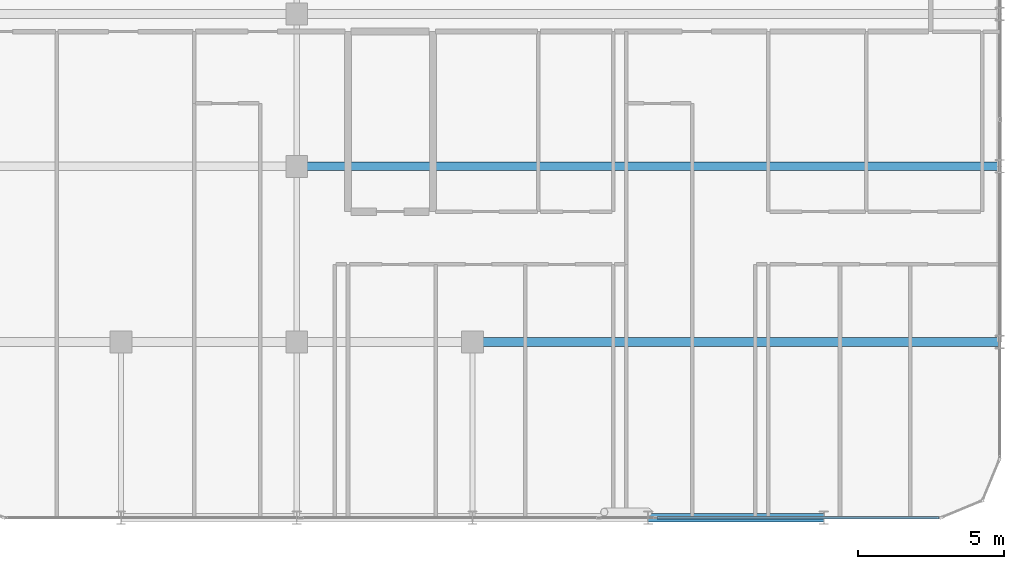
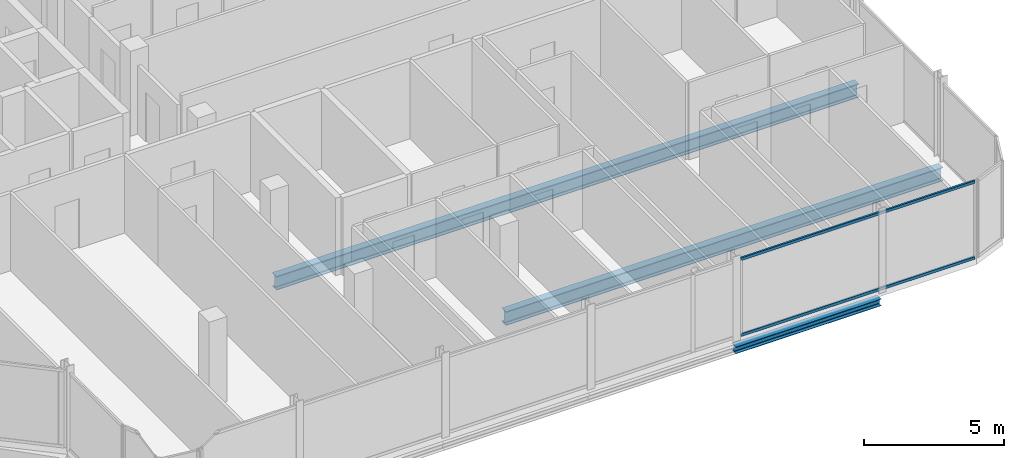
# One storey, part 11 of 29: 3 beams, 2 members, 1 element without a shape of its own.
"""IFC4 building model written with IfcOpenShell, lengths in metres."""

import ifcopenshell
import ifcopenshell.guid

model = None  # the IFC model being written
_history = None  # IfcOwnerHistory: only IFC2X3 demands one
_inside = {}  # id of a spatial element -> (the spatial element, [elements in it])
_under = {}  # id of a project, library or spatial element -> (it, [spatial elements below it])
_declared = {}  # id of a project -> (the project, [libraries it declares])
_typed = {}  # id of a type object -> (the type object, [elements of that type])
_made_of = {}  # id of a material, layer set ... -> (it, [elements and type objects made of it])


def new_model(schema):
    """Start an empty IFC model of exactly this schema.

    Asked for "IFC4X3", IfcOpenShell would pick the latest addendum, in which some entities
    have other attributes; the version numbers below select the first issue.
    IFC2X3 requires an IfcOwnerHistory on every rooted entity: one is made here for all.
    """
    global model, _history
    if schema == "IFC4X3":
        model = ifcopenshell.file(schema_version=(4, 3, 0, 0))
    else:
        model = ifcopenshell.file(schema=schema)
    _inside.clear()
    _under.clear()
    _declared.clear()
    _typed.clear()
    _made_of.clear()
    _history = None
    if model.schema == "IFC2X3":
        org = make("IfcOrganization", Name="unknown")
        user = make(
            "IfcPersonAndOrganization",
            ThePerson=make("IfcPerson", FamilyName="unknown"),
            TheOrganization=org,
        )
        app = make(
            "IfcApplication",
            ApplicationDeveloper=org,
            Version="unknown",
            ApplicationFullName="unknown",
            ApplicationIdentifier="unknown",
        )
        _history = make(
            "IfcOwnerHistory",
            OwningUser=user,
            OwningApplication=app,
            ChangeAction="ADDED",
            CreationDate=0,
        )
    return model


def make(cls, **values):
    """One entity of the class cls with the attributes given. An attribute that is None is left unset."""
    return model.create_entity(
        cls, **{name: value for name, value in values.items() if value is not None}
    )


def rooted(cls, **values):
    """An entity with a GlobalId (a new one), such as an element, a storey or a relation."""
    return make(cls, GlobalId=ifcopenshell.guid.new(), OwnerHistory=_history, **values)


def si_unit(unit_type, name, prefix=None):
    """IfcSIUnit, for example si_unit("LENGTHUNIT", "METRE", prefix="MILLI")."""
    return make("IfcSIUnit", UnitType=unit_type, Prefix=prefix, Name=name)


def assignment(units):
    """IfcUnitAssignment: the units of a project."""
    return None if units is None else make("IfcUnitAssignment", Units=units)


def point(xyz):
    """IfcCartesianPoint."""
    return None if xyz is None else make("IfcCartesianPoint", Coordinates=xyz)


def direction(xyz):
    """IfcDirection."""
    return None if xyz is None else make("IfcDirection", DirectionRatios=xyz)


def frame(location, z_axis=None, x_axis=None):
    """IfcAxis2Placement3D, a coordinate frame: its origin and axes. An axis left out is left unset."""
    return make(
        "IfcAxis2Placement3D",
        Location=point(location),
        Axis=direction(z_axis),
        RefDirection=direction(x_axis),
    )


def frame_2d(location, x_axis=None):
    """IfcAxis2Placement2D, a coordinate frame in the plane: its origin and x axis."""
    return make(
        "IfcAxis2Placement2D", Location=point(location), RefDirection=direction(x_axis)
    )


def origin():
    """The frame at (0, 0, 0) with its axes left unset."""
    return frame((0.0, 0.0, 0.0))


def origin_2d():
    """The frame at (0, 0) in the plane with its x axis left unset."""
    return frame_2d((0.0, 0.0))


def place(relative_to, where):
    """IfcLocalPlacement: puts the frame where relative to a parent placement (None: the world)."""
    return make(
        "IfcLocalPlacement", PlacementRelTo=relative_to, RelativePlacement=where
    )


def context(
    kind, dimensions, precision=None, world=None, true_north=None, identifier=None
):
    """IfcGeometricRepresentationContext, for example the 3D "Model" context."""
    return make(
        "IfcGeometricRepresentationContext",
        ContextIdentifier=identifier,
        ContextType=kind,
        CoordinateSpaceDimension=dimensions,
        Precision=precision,
        WorldCoordinateSystem=world,
        TrueNorth=true_north,
    )


def subcontext(parent, identifier, kind, view, scale=None):
    """IfcGeometricRepresentationSubContext, for example "Body" below "Model"."""
    return make(
        "IfcGeometricRepresentationSubContext",
        ContextIdentifier=identifier,
        ContextType=kind,
        ParentContext=parent,
        TargetScale=scale,
        TargetView=view,
    )


def project(units=None, contexts=None):
    """IfcProject with its units and contexts."""
    return rooted(
        "IfcProject",
        Name="project",
        RepresentationContexts=contexts,
        UnitsInContext=assignment(units),
    )


def spatial(cls, under=None, at=None, **own):
    """A site, building, storey or space (cls), placed at a placement, below another one or the project."""
    s = rooted(cls, ObjectPlacement=at, **own)
    if under is not None:
        _under.setdefault(under.id(), (under, []))[1].append(s)
    return s


def profile(cls, at=None, kind="AREA", **sizes):
    """A parametric profile (cls). Its sizes go by their IFC names, for example OverallWidth=200.0."""
    return make(cls, ProfileType=kind, Position=at, **sizes)


def hollow_rectangle(**sizes):
    """IfcRectangleHollowProfileDef."""
    return profile("IfcRectangleHollowProfileDef", **sizes)


def i_section(**sizes):
    """IfcIShapeProfileDef."""
    return profile("IfcIShapeProfileDef", **sizes)


def extrude(swept, where, along, depth):
    """IfcExtrudedAreaSolid: the profile swept, set in the frame where, extruded along a direction by depth."""
    return make(
        "IfcExtrudedAreaSolid",
        SweptArea=swept,
        Position=where,
        ExtrudedDirection=direction(along),
        Depth=depth,
    )


def shape(context_of_items, identifier, shape_type, items):
    """IfcShapeRepresentation: the items that make up one representation, for example the "Body"."""
    return make(
        "IfcShapeRepresentation",
        ContextOfItems=context_of_items,
        RepresentationIdentifier=identifier,
        RepresentationType=shape_type,
        Items=items,
    )


def material(Name=None, Category=None):
    """IfcMaterial."""
    return make("IfcMaterial", Name=Name, Category=Category)


def layer(
    of_material, thickness, ventilated=None, Name=None, Category=None, Priority=None
):
    """IfcMaterialLayer: one layer of a wall or slab, of a material (None: an air gap)."""
    return make(
        "IfcMaterialLayer",
        Material=of_material,
        LayerThickness=thickness,
        IsVentilated=ventilated,
        Name=Name,
        Category=Category,
        Priority=Priority,
    )


def layer_set(layers, Name=None):
    """IfcMaterialLayerSet."""
    return make("IfcMaterialLayerSet", MaterialLayers=layers, LayerSetName=Name)


def material_profile(
    of_material, cross_section, Name=None, Category=None, Priority=None
):
    """IfcMaterialProfile: a cross section and its material."""
    return make(
        "IfcMaterialProfile",
        Name=Name,
        Material=of_material,
        Profile=cross_section,
        Priority=Priority,
        Category=Category,
    )


def profile_set(profiles, Name=None, composite=None):
    """IfcMaterialProfileSet."""
    return make(
        "IfcMaterialProfileSet",
        Name=Name,
        MaterialProfiles=profiles,
        CompositeProfile=composite,
    )


def made_of(thing, what):
    """Note that an element or type object is made of a material, layer set ...; save() writes the relation."""
    if what is not None:
        _made_of.setdefault(what.id(), (what, []))[1].append(thing)
    return thing


def type_object(cls, material=None, **own):
    """A type object (cls), such as IfcWallType, which elements share."""
    return made_of(rooted(cls, **own), material)


def element(
    cls,
    number,
    at=None,
    inside=None,
    cuts=None,
    type_object=None,
    material=None,
    context=None,
    identifier="Body",
    shape_type=None,
    held_by="IfcProductDefinitionShape",
    body=None,
    shapes=None,
    **own,
):
    """One element of the class cls, such as IfcWall. Its Tag is "e" and its number.

    at: its placement. inside: the storey or other place that contains it. cuts: it is an
    opening in that element (IfcRelVoidsElement). A single representation is given by context,
    identifier, shape_type and body (its items); several are given by shapes. held_by: the class
    of the entity that holds the representations. save() writes the other relations.
    """
    e = rooted(cls, Tag="e%d" % number, ObjectPlacement=at, **own)
    if body is not None:
        shapes = [shape(context, identifier, shape_type, body)]
    if shapes is not None:
        e.Representation = make(held_by, Representations=shapes)
    if inside is not None:
        _inside.setdefault(inside.id(), (inside, []))[1].append(e)
    if cuts is not None:
        rooted(
            "IfcRelVoidsElement", RelatingBuildingElement=cuts, RelatedOpeningElement=e
        )
    if type_object is not None:
        _typed.setdefault(type_object.id(), (type_object, []))[1].append(e)
    return made_of(e, material)


def aggregate(whole, parts):
    """IfcRelAggregates: a whole, such as a stair, and the parts it consists of."""
    return rooted("IfcRelAggregates", RelatingObject=whole, RelatedObjects=parts)


def save(model, path):
    """Write the relations noted so far, then the file.

    IfcRelAggregates (storeys below a building ...), IfcRelContainedInSpatialStructure (elements
    in a storey), IfcRelDefinesByType, IfcRelAssociatesMaterial and IfcRelDeclares: one each for
    every whole, place, type object, material and project.
    """
    for whole, parts in _under.values():
        aggregate(whole, parts)
    for where, things in _inside.values():
        rooted(
            "IfcRelContainedInSpatialStructure",
            RelatedElements=things,
            RelatingStructure=where,
        )
    for kind, things in _typed.values():
        rooted("IfcRelDefinesByType", RelatedObjects=things, RelatingType=kind)
    for what, things in _made_of.values():
        rooted("IfcRelAssociatesMaterial", RelatedObjects=things, RelatingMaterial=what)
    for by, libraries in _declared.values():
        rooted("IfcRelDeclares", RelatingContext=by, RelatedDefinitions=libraries)
    model.write(path)


model = new_model("IFC4")

# Units and contexts
model_context = context("Model", 3, precision=1e-05, world=origin(), true_north=direction((0.0, 1.0)))
body_context = subcontext(model_context, "Body", "Model", "MODEL_VIEW")
ifc_project = project(units=[si_unit("LENGTHUNIT", "METRE"), si_unit("AREAUNIT", "SQUARE_METRE"), si_unit("VOLUMEUNIT", "CUBIC_METRE"), si_unit("PLANEANGLEUNIT", "RADIAN"), si_unit("MASSUNIT", "GRAM", prefix="KILO")], contexts=[model_context])

# Site, building, storey
site_placement = place(None, origin())
site = spatial("IfcSite", under=ifc_project, at=site_placement, CompositionType="ELEMENT")
building_placement = place(site_placement, origin())
building = spatial("IfcBuilding", under=site, at=building_placement, Name="Keshet Zoharim Tower", CompositionType="ELEMENT")
storey_placement = place(building_placement, frame((0.0, 0.0, 214.300048828125)))
storey = spatial("IfcBuildingStorey", under=building, at=storey_placement, Name="L53", CompositionType="ELEMENT", Elevation=214.300048828125)

# Beams
ifc_material_1 = material(Name="Steel S355", Category="steel")
ifc_material_profile_1 = material_profile(ifc_material_1, i_section(OverallWidth=0.300048828125, OverallDepth=0.60009765625, WebThickness=0.015380859375, FlangeThickness=0.030029296875, FilletRadius=0.027099609375, at=origin_2d()), Name="HEB600")
ifc_profile_set_1 = profile_set([ifc_material_profile_1], Name="Steel S355")
beam_type_1 = type_object("IfcBeamType", Name="BM-LNG-HB600", PredefinedType="BEAM", material=ifc_profile_set_1)
beam_1_placement = place(storey_placement, frame((39.0, 6.699951171875, -0.610107421875), z_axis=(1.0, 0.0, 0.0), x_axis=(0.0, 1.0, 0.0)))
element("IfcBeam", 1, at=beam_1_placement, inside=storey, type_object=beam_type_1, Name="L53 Primary Girder X-008", PredefinedType="BEAM", context=body_context, shape_type="SweptSolid", body=[
    extrude(i_section(OverallWidth=0.300048828125, OverallDepth=0.60009765625, WebThickness=0.015380859375, FlangeThickness=0.030029296875, FilletRadius=0.027099609375, at=origin_2d()), origin(), (0.0, 0.0, 1.0), 18.0),
])
beam_2_placement = place(storey_placement, frame((33.0, 12.699951171875, -0.610107421875), z_axis=(1.0, 0.0, 0.0), x_axis=(0.0, 1.0, 0.0)))
element("IfcBeam", 2, at=beam_2_placement, inside=storey, type_object=beam_type_1, Name="L53 Primary Girder X-010", PredefinedType="BEAM", context=body_context, shape_type="SweptSolid", body=[
    extrude(i_section(OverallWidth=0.300048828125, OverallDepth=0.60009765625, WebThickness=0.015380859375, FlangeThickness=0.030029296875, FilletRadius=0.027099609375, at=origin_2d()), origin(), (0.0, 0.0, 1.0), 24.0),
])
ifc_material_profile_2 = material_profile(ifc_material_1, i_section(OverallWidth=0.300048828125, OverallDepth=0.300048828125, WebThickness=0.010986328125, FlangeThickness=0.01904296875, FilletRadius=0.027099609375, at=origin_2d()), Name="HEB300")
ifc_profile_set_2 = profile_set([ifc_material_profile_2], Name="Steel S355")
beam_type_2 = type_object("IfcBeamType", Name="BM-PRI-HB300", PredefinedType="BEAM", material=ifc_profile_set_2)
beam_3_placement = place(storey_placement, frame((45.0, 0.699951171875, -0.4599609375), z_axis=(1.0, 0.0, 0.0), x_axis=(0.0, 1.0, 0.0)))
element("IfcBeam", 3, at=beam_3_placement, inside=storey, type_object=beam_type_2, Name="L53 Primary Girder X-004", PredefinedType="BEAM", context=body_context, shape_type="SweptSolid", body=[
    extrude(i_section(OverallWidth=0.300048828125, OverallDepth=0.300048828125, WebThickness=0.010986328125, FlangeThickness=0.01904296875, FilletRadius=0.027099609375, at=origin_2d()), origin(), (0.0, 0.0, 1.0), 6.0),
])

# Curtain wall, members
ifc_material_2 = material(Name="Aluminium 6063-T6", Category="aluminium")
ifc_layer = layer(ifc_material_2, 0.139892578125)
ifc_layer_set = layer_set([ifc_layer], Name="Aluminium 6063-T6")
curtain_wall_type = type_object("IfcCurtainWallType", Name="CW-SYS-05", PredefinedType="NOTDEFINED", material=ifc_layer_set)
curtain_wall_placement = place(storey_placement, origin())
curtain_wall = element("IfcCurtainWall", 4, at=curtain_wall_placement, inside=storey, type_object=curtain_wall_type, Name="L53 Unitised Curtain Wall 06", PredefinedType="NOTDEFINED")
ifc_material_profile_3 = material_profile(ifc_material_2, hollow_rectangle(XDim=0.074951171875, YDim=0.1201171875, WallThickness=0.00390625, at=origin_2d()), Name="TRN-75x120")
ifc_profile_set_3 = profile_set([ifc_material_profile_3], Name="Aluminium 6063-T6")
member_type = type_object("IfcMemberType", Name="CWT-T12", PredefinedType="USERDEFINED", material=ifc_profile_set_3)
member_1_placement = place(storey_placement, frame((54.929931640625, 0.699951171875, 0.034912109375), z_axis=(-1.0, 0.0, 0.0), x_axis=(0.0, -1.0, 0.0)))
member_1 = element("IfcMember", 5, at=member_1_placement, type_object=member_type, Name="CW-05 transom 1.1", ObjectType="TRANSOM", PredefinedType="USERDEFINED", context=body_context, shape_type="SweptSolid", body=[
    extrude(hollow_rectangle(XDim=0.074951171875, YDim=0.1201171875, WallThickness=0.00390625, at=origin_2d()), origin(), (0.0, 0.0, 1.0), 9.635009765625),
])
member_2_placement = place(storey_placement, frame((54.929931640625, 0.699951171875, 3.344970703125), z_axis=(-1.0, 0.0, 0.0), x_axis=(0.0, -1.0, 0.0)))
member_2 = element("IfcMember", 6, at=member_2_placement, type_object=member_type, Name="CW-05 transom 1.2", ObjectType="TRANSOM", PredefinedType="USERDEFINED", context=body_context, shape_type="SweptSolid", body=[
    extrude(hollow_rectangle(XDim=0.074951171875, YDim=0.1201171875, WallThickness=0.00390625, at=origin_2d()), origin(), (0.0, 0.0, 1.0), 9.635009765625),
])
aggregate(curtain_wall, [member_1, member_2])

save(model, "model.ifc")
